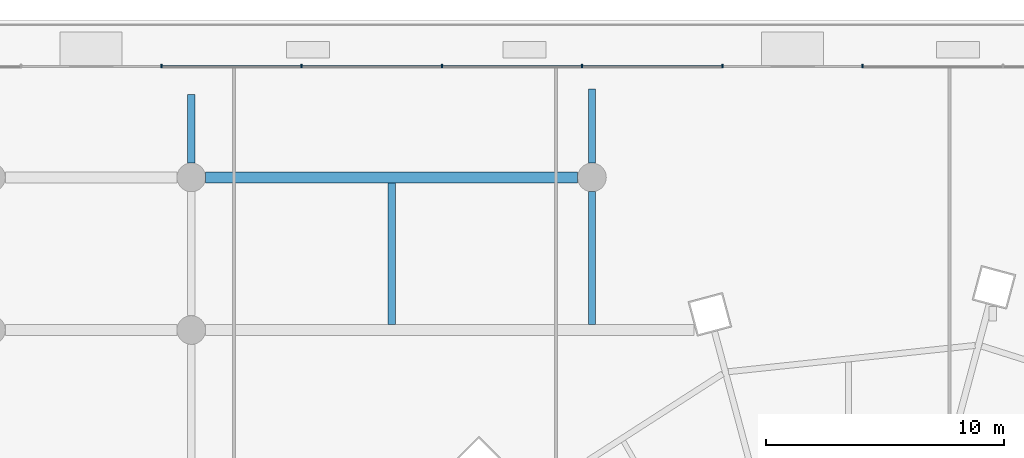
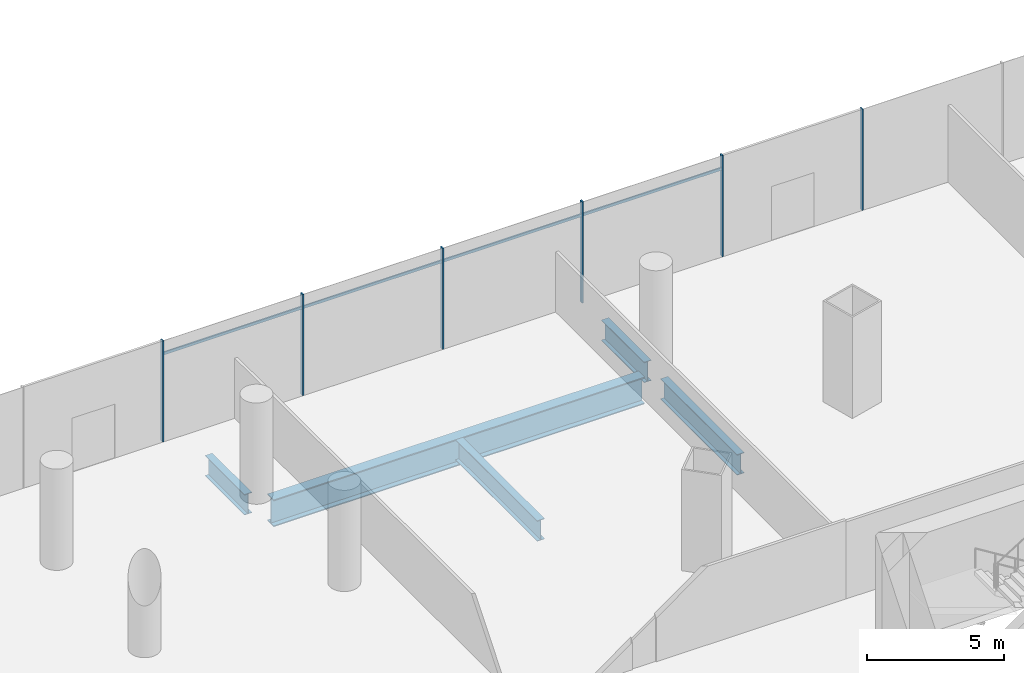
# One storey, part 22 of 43: 10 members, 5 beams, 1 element without a shape of its own.
"""IFC4 building model written with IfcOpenShell, lengths in metres."""

import ifcopenshell
import ifcopenshell.guid

model = None  # the IFC model being written
_history = None  # IfcOwnerHistory: only IFC2X3 demands one
_inside = {}  # id of a spatial element -> (the spatial element, [elements in it])
_under = {}  # id of a project, library or spatial element -> (it, [spatial elements below it])
_declared = {}  # id of a project -> (the project, [libraries it declares])
_typed = {}  # id of a type object -> (the type object, [elements of that type])
_made_of = {}  # id of a material, layer set ... -> (it, [elements and type objects made of it])


def new_model(schema):
    """Start an empty IFC model of exactly this schema.

    Asked for "IFC4X3", IfcOpenShell would pick the latest addendum, in which some entities
    have other attributes; the version numbers below select the first issue.
    IFC2X3 requires an IfcOwnerHistory on every rooted entity: one is made here for all.
    """
    global model, _history
    if schema == "IFC4X3":
        model = ifcopenshell.file(schema_version=(4, 3, 0, 0))
    else:
        model = ifcopenshell.file(schema=schema)
    _inside.clear()
    _under.clear()
    _declared.clear()
    _typed.clear()
    _made_of.clear()
    _history = None
    if model.schema == "IFC2X3":
        org = make("IfcOrganization", Name="unknown")
        user = make(
            "IfcPersonAndOrganization",
            ThePerson=make("IfcPerson", FamilyName="unknown"),
            TheOrganization=org,
        )
        app = make(
            "IfcApplication",
            ApplicationDeveloper=org,
            Version="unknown",
            ApplicationFullName="unknown",
            ApplicationIdentifier="unknown",
        )
        _history = make(
            "IfcOwnerHistory",
            OwningUser=user,
            OwningApplication=app,
            ChangeAction="ADDED",
            CreationDate=0,
        )
    return model


def make(cls, **values):
    """One entity of the class cls with the attributes given. An attribute that is None is left unset."""
    return model.create_entity(
        cls, **{name: value for name, value in values.items() if value is not None}
    )


def rooted(cls, **values):
    """An entity with a GlobalId (a new one), such as an element, a storey or a relation."""
    return make(cls, GlobalId=ifcopenshell.guid.new(), OwnerHistory=_history, **values)


def si_unit(unit_type, name, prefix=None):
    """IfcSIUnit, for example si_unit("LENGTHUNIT", "METRE", prefix="MILLI")."""
    return make("IfcSIUnit", UnitType=unit_type, Prefix=prefix, Name=name)


def assignment(units):
    """IfcUnitAssignment: the units of a project."""
    return None if units is None else make("IfcUnitAssignment", Units=units)


def point(xyz):
    """IfcCartesianPoint."""
    return None if xyz is None else make("IfcCartesianPoint", Coordinates=xyz)


def direction(xyz):
    """IfcDirection."""
    return None if xyz is None else make("IfcDirection", DirectionRatios=xyz)


def frame(location, z_axis=None, x_axis=None):
    """IfcAxis2Placement3D, a coordinate frame: its origin and axes. An axis left out is left unset."""
    return make(
        "IfcAxis2Placement3D",
        Location=point(location),
        Axis=direction(z_axis),
        RefDirection=direction(x_axis),
    )


def frame_2d(location, x_axis=None):
    """IfcAxis2Placement2D, a coordinate frame in the plane: its origin and x axis."""
    return make(
        "IfcAxis2Placement2D", Location=point(location), RefDirection=direction(x_axis)
    )


def origin():
    """The frame at (0, 0, 0) with its axes left unset."""
    return frame((0.0, 0.0, 0.0))


def origin_2d():
    """The frame at (0, 0) in the plane with its x axis left unset."""
    return frame_2d((0.0, 0.0))


def place(relative_to, where):
    """IfcLocalPlacement: puts the frame where relative to a parent placement (None: the world)."""
    return make(
        "IfcLocalPlacement", PlacementRelTo=relative_to, RelativePlacement=where
    )


def context(
    kind, dimensions, precision=None, world=None, true_north=None, identifier=None
):
    """IfcGeometricRepresentationContext, for example the 3D "Model" context."""
    return make(
        "IfcGeometricRepresentationContext",
        ContextIdentifier=identifier,
        ContextType=kind,
        CoordinateSpaceDimension=dimensions,
        Precision=precision,
        WorldCoordinateSystem=world,
        TrueNorth=true_north,
    )


def subcontext(parent, identifier, kind, view, scale=None):
    """IfcGeometricRepresentationSubContext, for example "Body" below "Model"."""
    return make(
        "IfcGeometricRepresentationSubContext",
        ContextIdentifier=identifier,
        ContextType=kind,
        ParentContext=parent,
        TargetScale=scale,
        TargetView=view,
    )


def project(units=None, contexts=None):
    """IfcProject with its units and contexts."""
    return rooted(
        "IfcProject",
        Name="project",
        RepresentationContexts=contexts,
        UnitsInContext=assignment(units),
    )


def spatial(cls, under=None, at=None, **own):
    """A site, building, storey or space (cls), placed at a placement, below another one or the project."""
    s = rooted(cls, ObjectPlacement=at, **own)
    if under is not None:
        _under.setdefault(under.id(), (under, []))[1].append(s)
    return s


def profile(cls, at=None, kind="AREA", **sizes):
    """A parametric profile (cls). Its sizes go by their IFC names, for example OverallWidth=200.0."""
    return make(cls, ProfileType=kind, Position=at, **sizes)


def rectangle(**sizes):
    """IfcRectangleProfileDef."""
    return profile("IfcRectangleProfileDef", **sizes)


def i_section(**sizes):
    """IfcIShapeProfileDef."""
    return profile("IfcIShapeProfileDef", **sizes)


def extrude(swept, where, along, depth):
    """IfcExtrudedAreaSolid: the profile swept, set in the frame where, extruded along a direction by depth."""
    return make(
        "IfcExtrudedAreaSolid",
        SweptArea=swept,
        Position=where,
        ExtrudedDirection=direction(along),
        Depth=depth,
    )


def shape(context_of_items, identifier, shape_type, items):
    """IfcShapeRepresentation: the items that make up one representation, for example the "Body"."""
    return make(
        "IfcShapeRepresentation",
        ContextOfItems=context_of_items,
        RepresentationIdentifier=identifier,
        RepresentationType=shape_type,
        Items=items,
    )


def material(Name=None, Category=None):
    """IfcMaterial."""
    return make("IfcMaterial", Name=Name, Category=Category)


def material_profile(
    of_material, cross_section, Name=None, Category=None, Priority=None
):
    """IfcMaterialProfile: a cross section and its material."""
    return make(
        "IfcMaterialProfile",
        Name=Name,
        Material=of_material,
        Profile=cross_section,
        Priority=Priority,
        Category=Category,
    )


def profile_set(profiles, Name=None, composite=None):
    """IfcMaterialProfileSet."""
    return make(
        "IfcMaterialProfileSet",
        Name=Name,
        MaterialProfiles=profiles,
        CompositeProfile=composite,
    )


def made_of(thing, what):
    """Note that an element or type object is made of a material, layer set ...; save() writes the relation."""
    if what is not None:
        _made_of.setdefault(what.id(), (what, []))[1].append(thing)
    return thing


def type_object(cls, material=None, **own):
    """A type object (cls), such as IfcWallType, which elements share."""
    return made_of(rooted(cls, **own), material)


def element(
    cls,
    number,
    at=None,
    inside=None,
    cuts=None,
    type_object=None,
    material=None,
    context=None,
    identifier="Body",
    shape_type=None,
    held_by="IfcProductDefinitionShape",
    body=None,
    shapes=None,
    **own,
):
    """One element of the class cls, such as IfcWall. Its Tag is "e" and its number.

    at: its placement. inside: the storey or other place that contains it. cuts: it is an
    opening in that element (IfcRelVoidsElement). A single representation is given by context,
    identifier, shape_type and body (its items); several are given by shapes. held_by: the class
    of the entity that holds the representations. save() writes the other relations.
    """
    e = rooted(cls, Tag="e%d" % number, ObjectPlacement=at, **own)
    if body is not None:
        shapes = [shape(context, identifier, shape_type, body)]
    if shapes is not None:
        e.Representation = make(held_by, Representations=shapes)
    if inside is not None:
        _inside.setdefault(inside.id(), (inside, []))[1].append(e)
    if cuts is not None:
        rooted(
            "IfcRelVoidsElement", RelatingBuildingElement=cuts, RelatedOpeningElement=e
        )
    if type_object is not None:
        _typed.setdefault(type_object.id(), (type_object, []))[1].append(e)
    return made_of(e, material)


def aggregate(whole, parts):
    """IfcRelAggregates: a whole, such as a stair, and the parts it consists of."""
    return rooted("IfcRelAggregates", RelatingObject=whole, RelatedObjects=parts)


def save(model, path):
    """Write the relations noted so far, then the file.

    IfcRelAggregates (storeys below a building ...), IfcRelContainedInSpatialStructure (elements
    in a storey), IfcRelDefinesByType, IfcRelAssociatesMaterial and IfcRelDeclares: one each for
    every whole, place, type object, material and project.
    """
    for whole, parts in _under.values():
        aggregate(whole, parts)
    for where, things in _inside.values():
        rooted(
            "IfcRelContainedInSpatialStructure",
            RelatedElements=things,
            RelatingStructure=where,
        )
    for kind, things in _typed.values():
        rooted("IfcRelDefinesByType", RelatedObjects=things, RelatingType=kind)
    for what, things in _made_of.values():
        rooted("IfcRelAssociatesMaterial", RelatedObjects=things, RelatingMaterial=what)
    for by, libraries in _declared.values():
        rooted("IfcRelDeclares", RelatingContext=by, RelatedDefinitions=libraries)
    model.write(path)


model = new_model("IFC4")

# Units and contexts
model_context = context("Model", 3, precision=1e-05, world=origin(), true_north=direction((0.0, 1.0)))
body_context = subcontext(model_context, "Body", "Model", "MODEL_VIEW")
ifc_project = project(units=[si_unit("LENGTHUNIT", "METRE"), si_unit("AREAUNIT", "SQUARE_METRE"), si_unit("VOLUMEUNIT", "CUBIC_METRE"), si_unit("PLANEANGLEUNIT", "RADIAN"), si_unit("MASSUNIT", "GRAM", prefix="KILO")], contexts=[model_context])

# Site, building, storey
site_placement = place(None, origin())
site = spatial("IfcSite", under=ifc_project, at=site_placement, CompositionType="ELEMENT")
building_placement = place(site_placement, origin())
building = spatial("IfcBuilding", under=site, at=building_placement, Name="Rimbun Link Towers", CompositionType="ELEMENT")
storey_placement = place(building_placement, frame((0.0, 0.0, 12.0)))
storey = spatial("IfcBuildingStorey", under=building, at=storey_placement, Name="L02", CompositionType="ELEMENT", Elevation=12.0)

# Curtain wall, members
ifc_material_1 = material(Name="Aluminium 6063-T6 and low-iron glass", Category="aluminium")
curtain_wall_type = type_object("IfcCurtainWallType", Name="CW3 podium shopfront", PredefinedType="NOTDEFINED", material=ifc_material_1)
curtain_wall_placement = place(storey_placement, origin())
curtain_wall = element("IfcCurtainWall", 1, at=curtain_wall_placement, inside=storey, type_object=curtain_wall_type, Name="CW3 L02 PD", PredefinedType="NOTDEFINED")
ifc_material_2 = material(Name="Aluminium 6063-T6", Category="aluminium")
ifc_material_profile_1 = material_profile(ifc_material_2, rectangle(XDim=0.14990234375, YDim=0.06005859375, at=origin_2d()), Name="MULLION 60X150")
ifc_profile_set_1 = profile_set([ifc_material_profile_1], Name="Aluminium 6063-T6")
member_type_1 = type_object("IfcMemberType", Name="CW3 mullion 60X150", PredefinedType="MULLION", material=ifc_profile_set_1)
member_1_placement = place(storey_placement, frame((32.35302734375, 32.074951171875, 0.0), z_axis=(0.0, 0.0, 1.0), x_axis=(0.0, 1.0, 0.0)))
member_1 = element("IfcMember", 2, at=member_1_placement, type_object=member_type_1, Name="CW3 mullion", PredefinedType="MULLION", context=body_context, shape_type="SweptSolid", body=[
    extrude(rectangle(XDim=0.14990234375, YDim=0.06005859375, at=origin_2d()), origin(), (0.0, 0.0, 1.0), 4.5),
])
member_2_placement = place(storey_placement, frame((26.470703125, 32.074951171875, 0.0), z_axis=(0.0, 0.0, 1.0), x_axis=(0.0, 1.0, 0.0)))
member_2 = element("IfcMember", 3, at=member_2_placement, type_object=member_type_1, Name="CW3 mullion", PredefinedType="MULLION", context=body_context, shape_type="SweptSolid", body=[
    extrude(rectangle(XDim=0.14990234375, YDim=0.06005859375, at=origin_2d()), origin(), (0.0, 0.0, 1.0), 4.5),
])
member_3_placement = place(storey_placement, frame((20.588134765625, 32.074951171875, 0.0), z_axis=(0.0, 0.0, 1.0), x_axis=(0.0, 1.0, 0.0)))
member_3 = element("IfcMember", 4, at=member_3_placement, type_object=member_type_1, Name="CW3 mullion", PredefinedType="MULLION", context=body_context, shape_type="SweptSolid", body=[
    extrude(rectangle(XDim=0.14990234375, YDim=0.06005859375, at=origin_2d()), origin(), (0.0, 0.0, 1.0), 4.5),
])
member_4_placement = place(storey_placement, frame((14.705810546875, 32.074951171875, 0.0), z_axis=(0.0, 0.0, 1.0), x_axis=(0.0, 1.0, 0.0)))
member_4 = element("IfcMember", 5, at=member_4_placement, type_object=member_type_1, Name="CW3 mullion", PredefinedType="MULLION", context=body_context, shape_type="SweptSolid", body=[
    extrude(rectangle(XDim=0.14990234375, YDim=0.06005859375, at=origin_2d()), origin(), (0.0, 0.0, 1.0), 4.5),
])
member_5_placement = place(storey_placement, frame((8.823486328125, 32.074951171875, 0.0), z_axis=(0.0, 0.0, 1.0), x_axis=(0.0, 1.0, 0.0)))
member_5 = element("IfcMember", 6, at=member_5_placement, type_object=member_type_1, Name="CW3 mullion", PredefinedType="MULLION", context=body_context, shape_type="SweptSolid", body=[
    extrude(rectangle(XDim=0.14990234375, YDim=0.06005859375, at=origin_2d()), origin(), (0.0, 0.0, 1.0), 4.5),
])
member_6_placement = place(storey_placement, frame((2.941162109375, 32.074951171875, 0.0), z_axis=(0.0, 0.0, 1.0), x_axis=(0.0, 1.0, 0.0)))
member_6 = element("IfcMember", 7, at=member_6_placement, type_object=member_type_1, Name="CW3 mullion", PredefinedType="MULLION", context=body_context, shape_type="SweptSolid", body=[
    extrude(rectangle(XDim=0.14990234375, YDim=0.06005859375, at=origin_2d()), origin(), (0.0, 0.0, 1.0), 4.5),
])
ifc_material_3 = material(Name="Aluminium 6063-T6", Category="aluminium")
ifc_material_profile_2 = material_profile(ifc_material_3, rectangle(XDim=0.06005859375, YDim=0.1201171875, at=origin_2d()), Name="TRANSOM 60X120")
ifc_profile_set_2 = profile_set([ifc_material_profile_2], Name="Aluminium 6063-T6")
member_type_2 = type_object("IfcMemberType", Name="CW3 transom 60X120", PredefinedType="USERDEFINED", material=ifc_profile_set_2)
member_7_placement = place(storey_placement, frame((20.6181640625, 32.053955078125, 3.89990234375), z_axis=(1.0, 0.0, 0.0), x_axis=(0.0, 1.0, 0.0)))
member_7 = element("IfcMember", 8, at=member_7_placement, type_object=member_type_2, Name="CW3 transom", ObjectType="TRANSOM", PredefinedType="USERDEFINED", context=body_context, shape_type="SweptSolid", body=[
    extrude(rectangle(XDim=0.06005859375, YDim=0.1201171875, at=origin_2d()), origin(), (0.0, 0.0, 1.0), 5.822509765625),
])
member_8_placement = place(storey_placement, frame((14.73583984375, 32.053955078125, 3.89990234375), z_axis=(1.0, 0.0, 0.0), x_axis=(0.0, 1.0, 0.0)))
member_8 = element("IfcMember", 9, at=member_8_placement, type_object=member_type_2, Name="CW3 transom", ObjectType="TRANSOM", PredefinedType="USERDEFINED", context=body_context, shape_type="SweptSolid", body=[
    extrude(rectangle(XDim=0.06005859375, YDim=0.1201171875, at=origin_2d()), origin(), (0.0, 0.0, 1.0), 5.822509765625),
])
member_9_placement = place(storey_placement, frame((8.853515625, 32.053955078125, 3.89990234375), z_axis=(1.0, 0.0, 0.0), x_axis=(0.0, 1.0, 0.0)))
member_9 = element("IfcMember", 10, at=member_9_placement, type_object=member_type_2, Name="CW3 transom", ObjectType="TRANSOM", PredefinedType="USERDEFINED", context=body_context, shape_type="SweptSolid", body=[
    extrude(rectangle(XDim=0.06005859375, YDim=0.1201171875, at=origin_2d()), origin(), (0.0, 0.0, 1.0), 5.822265625),
])
member_10_placement = place(storey_placement, frame((2.97119140625, 32.053955078125, 3.89990234375), z_axis=(1.0, 0.0, 0.0), x_axis=(0.0, 1.0, 0.0)))
member_10 = element("IfcMember", 11, at=member_10_placement, type_object=member_type_2, Name="CW3 transom", ObjectType="TRANSOM", PredefinedType="USERDEFINED", context=body_context, shape_type="SweptSolid", body=[
    extrude(rectangle(XDim=0.06005859375, YDim=0.1201171875, at=origin_2d()), origin(), (0.0, 0.0, 1.0), 5.822265625),
])
aggregate(curtain_wall, [member_1, member_2, member_3, member_4, member_5, member_6, member_7, member_8, member_9, member_10])

# Beams
ifc_material_4 = material(Name="Steel S355J2", Category="steel")
ifc_material_profile_3 = material_profile(ifc_material_4, i_section(OverallWidth=0.449951171875, OverallDepth=1.199951171875, WebThickness=0.030029296875, FlangeThickness=0.044921875, at=origin_2d()), Name="PG 1200x450x30/45")
ifc_profile_set_3 = profile_set([ifc_material_profile_3], Name="Steel S355J2")
beam_type_1 = type_object("IfcBeamType", Name="PG 1200x450x30/45", PredefinedType="BEAM", material=ifc_profile_set_3)
beam_1_placement = place(storey_placement, frame((4.800048828125, 27.39990234375, -0.89990234375), z_axis=(1.0, 0.0, 0.0), x_axis=(0.0, 1.0, 0.0)))
element("IfcBeam", 12, at=beam_1_placement, inside=storey, type_object=beam_type_1, Name="Grid beam L02 +27.4", PredefinedType="BEAM", context=body_context, shape_type="SweptSolid", body=[
    extrude(i_section(OverallWidth=0.449951171875, OverallDepth=1.199951171875, WebThickness=0.030029296875, FlangeThickness=0.044921875, at=origin_2d()), origin(), (0.0, 0.0, 1.0), 15.599853515625),
])
ifc_material_5 = material(Name="Steel S355J2", Category="steel")
ifc_material_profile_4 = material_profile(ifc_material_5, i_section(OverallWidth=0.305419921875, OverallDepth=0.91845703125, WebThickness=0.017333984375, FlangeThickness=0.02783203125, at=origin_2d()), Name="UB 914x305x253")
ifc_profile_set_4 = profile_set([ifc_material_profile_4], Name="Steel S355J2")
beam_type_2 = type_object("IfcBeamType", Name="UB 914x305x253", PredefinedType="BEAM", material=ifc_profile_set_4)
beam_2_placement = place(storey_placement, frame((4.199951171875, 28.0, -0.75927734375), z_axis=(0.0, 1.0, 0.0), x_axis=(-1.0, 0.0, 0.0)))
element("IfcBeam", 13, at=beam_2_placement, inside=storey, type_object=beam_type_2, Name="Grid beam L02 +4.2", PredefinedType="BEAM", context=body_context, shape_type="SweptSolid", body=[
    extrude(i_section(OverallWidth=0.305419921875, OverallDepth=0.91845703125, WebThickness=0.017333984375, FlangeThickness=0.02783203125, at=origin_2d()), origin(), (0.0, 0.0, 1.0), 2.875),
])
beam_3_placement = place(storey_placement, frame((12.60009765625, 21.22509765625, -0.75927734375), z_axis=(0.0, 1.0, 0.0), x_axis=(-1.0, 0.0, 0.0)))
element("IfcBeam", 14, at=beam_3_placement, inside=storey, type_object=beam_type_2, Name="Grid beam L02 +12.6", PredefinedType="BEAM", context=body_context, shape_type="SweptSolid", body=[
    extrude(i_section(OverallWidth=0.305419921875, OverallDepth=0.91845703125, WebThickness=0.017333984375, FlangeThickness=0.02783203125, at=origin_2d()), origin(), (0.0, 0.0, 1.0), 5.949951171875),
])
beam_4_placement = place(storey_placement, frame((21.0, 21.22509765625, -0.75927734375), z_axis=(0.0, 1.0, 0.0), x_axis=(-1.0, 0.0, 0.0)))
element("IfcBeam", 15, at=beam_4_placement, inside=storey, type_object=beam_type_2, Name="Grid beam L02 +21.0", PredefinedType="BEAM", context=body_context, shape_type="SweptSolid", body=[
    extrude(i_section(OverallWidth=0.305419921875, OverallDepth=0.91845703125, WebThickness=0.017333984375, FlangeThickness=0.02783203125, at=origin_2d()), origin(), (0.0, 0.0, 1.0), 5.574951171875),
])
beam_5_placement = place(storey_placement, frame((21.0, 28.0, -0.75927734375), z_axis=(0.0, 1.0, 0.0), x_axis=(-1.0, 0.0, 0.0)))
element("IfcBeam", 16, at=beam_5_placement, inside=storey, type_object=beam_type_2, Name="Grid beam L02 +21.0", PredefinedType="BEAM", context=body_context, shape_type="SweptSolid", body=[
    extrude(i_section(OverallWidth=0.305419921875, OverallDepth=0.91845703125, WebThickness=0.017333984375, FlangeThickness=0.02783203125, at=origin_2d()), origin(), (0.0, 0.0, 1.0), 3.109375),
])

save(model, "model.ifc")
